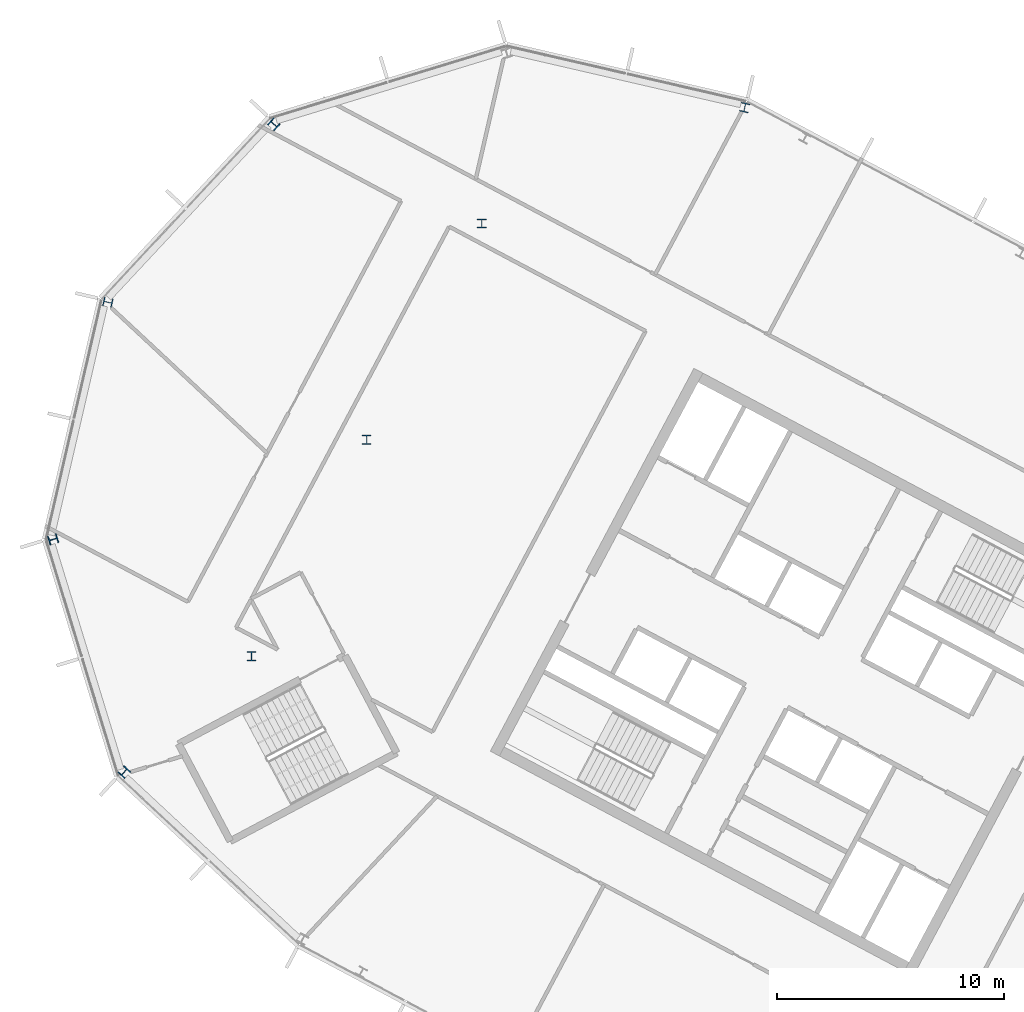
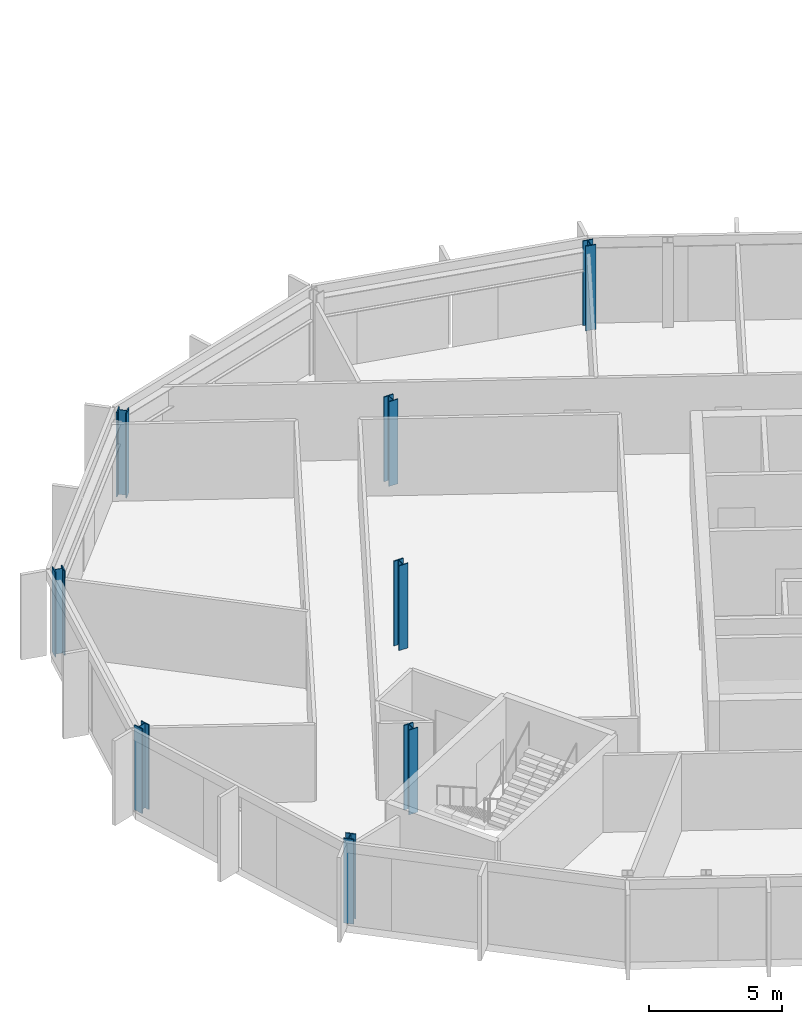
# One storey, part 3 of 26: 8 columns.
"""IFC4 building model written with IfcOpenShell, lengths in metres."""

from ifc_helpers import new_model, si_unit, direction, frame, origin, origin_2d, place, context, subcontext, project, spatial, i_section, extrude, material, material_profile, profile_set, type_object, element, save


model = new_model("IFC4")

# Units and contexts
model_context = context("Model", 3, precision=1e-05, world=origin(), true_north=direction((0.0, 1.0)))
body_context = subcontext(model_context, "Body", "Model", "MODEL_VIEW")
ifc_project = project(units=[si_unit("LENGTHUNIT", "METRE"), si_unit("AREAUNIT", "SQUARE_METRE"), si_unit("VOLUMEUNIT", "CUBIC_METRE"), si_unit("PLANEANGLEUNIT", "RADIAN"), si_unit("MASSUNIT", "GRAM", prefix="KILO")], contexts=[model_context])

# Site, building, storey
site_placement = place(None, origin())
site = spatial("IfcSite", under=ifc_project, at=site_placement, CompositionType="ELEMENT")
building_placement = place(site_placement, origin())
building = spatial("IfcBuilding", under=site, at=building_placement, Name="Cormorant Relay Tower", CompositionType="ELEMENT")
storey_placement = place(building_placement, frame((0.0, 0.0, 261.89990234375)))
storey = spatial("IfcBuildingStorey", under=building, at=storey_placement, Name="L58", CompositionType="ELEMENT", Elevation=261.89990234375)

# Columns
ifc_material = material(Name="Steel ASTM A992 (Fy 345 MPa)", Category="steel")
ifc_material_profile = material_profile(ifc_material, i_section(OverallWidth=0.40380859375, OverallDepth=0.406494140625, WebThickness=0.027099609375, FlangeThickness=0.043701171875, FilletRadius=0.01513671875, at=origin_2d()), Name="W360x347")
ifc_profile_set = profile_set([ifc_material_profile], Name="Steel ASTM A992 (Fy 345 MPa)")
column_type = type_object("IfcColumnType", Name="Column W360x347", PredefinedType="COLUMN", material=ifc_profile_set)
for number, where, z_axis, x_axis, name in (
    (1, (-57.2958984375, 10.152099609375, 0.0), (0.0, 0.0, 1.0), (0.731353701619, -0.681998360062, 0.0), "Column L58-022"),
    (2, (-51.68994140625, 15.251953125, 0.0), (0.0, 0.0, 1.0), (1.0, 0.0, 0.0), "Column L58-026"),
    (3, (-60.429931640625, 20.403076171875, 0.0), (0.0, 0.0, 1.0), (0.292371704723, -0.956304755963, 0.0), "Column L58-028"),
    (4, (-46.6201171875, 24.7880859375, 0.0), (0.0, 0.0, 1.0), (1.0, 0.0, 0.0), "Column L58-030"),
    (5, (-58.01806640625, 30.84912109375, 0.0), (0.0, 0.0, 1.0), (-0.224951054344, -0.974370064785, 0.0), "Column L58-034"),
    (6, (-41.549072265625, 34.323974609375, 0.0), (0.0, 0.0, 1.0), (1.0, 0.0, 0.0), "Column L58-037"),
    (7, (-50.70703125, 38.68896484375, 0.0), (0.0, 0.0, 1.0), (-0.681998360062, -0.731353701619, 0.0), "Column L58-041"),
    (8, (-29.965087890625, 39.425048828125, 0.0), (0.0, 0.0, 1.0), (-0.974370064785, 0.224951054344, 0.0), "Column L58-042"),
):
    element("IfcColumn", number, at=place(storey_placement, frame(where, z_axis=z_axis, x_axis=x_axis)), inside=storey, type_object=column_type, Name=name, PredefinedType="COLUMN", context=body_context, shape_type="SweptSolid", body=[
        extrude(i_section(OverallWidth=0.40380859375, OverallDepth=0.406494140625, WebThickness=0.027099609375, FlangeThickness=0.043701171875, FilletRadius=0.01513671875, at=origin_2d()), origin(), (0.0, 0.0, 1.0), 3.900146484375),
    ])

save(model, "model.ifc")
